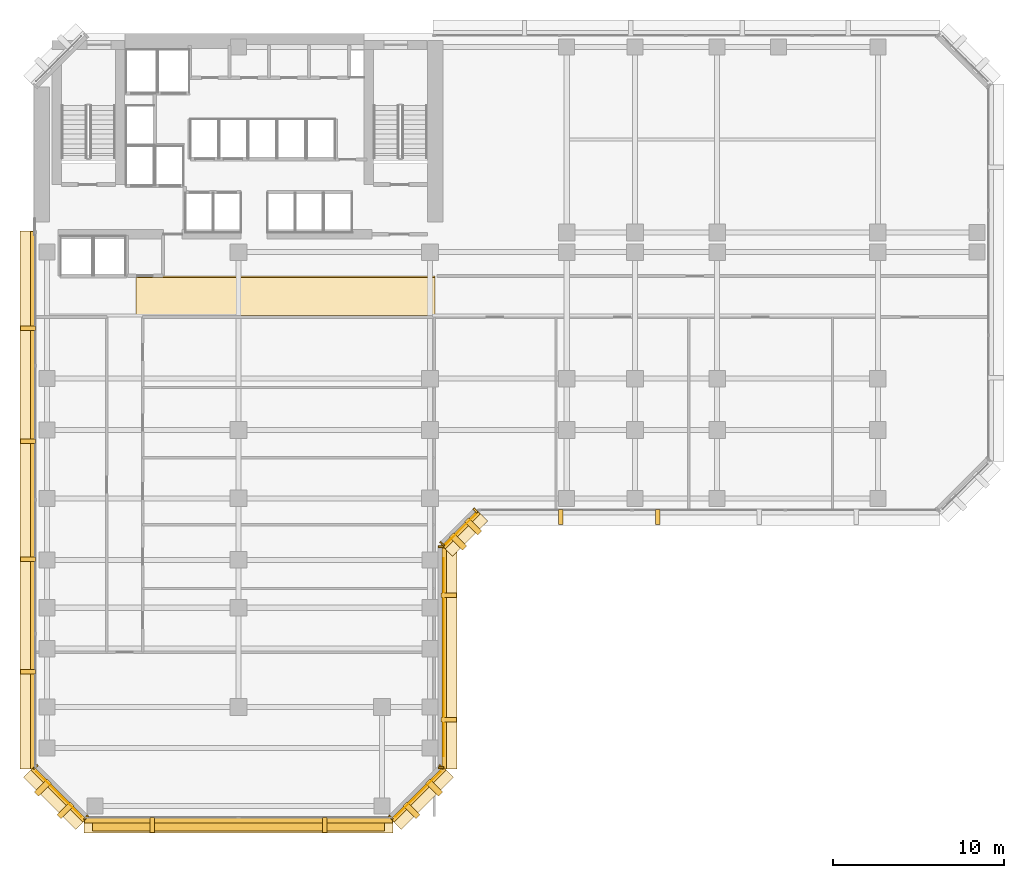
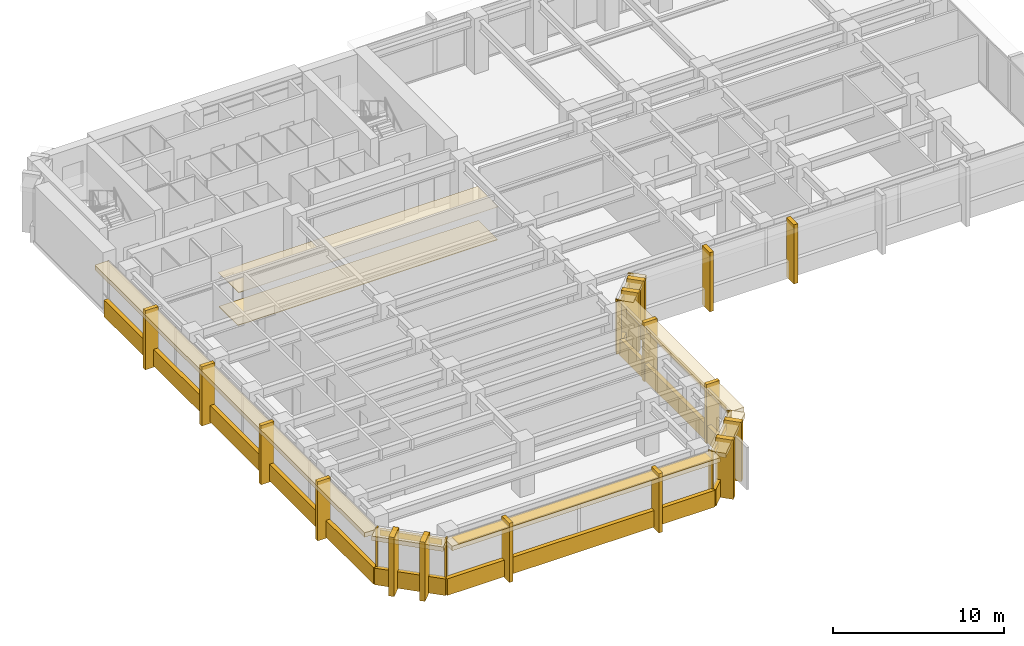
# One storey, part 9 of 13: 42 coverings, 1 shading device.
"""IFC4 building model written with IfcOpenShell, lengths in metres."""

from ifc_helpers import new_model, si_unit, direction, frame, origin, origin_2d, place, context, subcontext, project, spatial, polyline, rectangle, outline, extrude, material, layer, layer_set, type_object, element, save


model = new_model("IFC4")

# Units and contexts
model_context = context("Model", 3, precision=1e-05, world=origin(), true_north=direction((0.0, 1.0)))
body_context = subcontext(model_context, "Body", "Model", "MODEL_VIEW")
ifc_project = project(units=[si_unit("LENGTHUNIT", "METRE"), si_unit("AREAUNIT", "SQUARE_METRE"), si_unit("VOLUMEUNIT", "CUBIC_METRE"), si_unit("PLANEANGLEUNIT", "RADIAN"), si_unit("MASSUNIT", "GRAM", prefix="KILO")], contexts=[model_context])

# Site, building, storey
site_placement = place(None, origin())
site = spatial("IfcSite", under=ifc_project, at=site_placement, CompositionType="ELEMENT")
building_placement = place(site_placement, origin())
building = spatial("IfcBuilding", under=site, at=building_placement, Name="Kefirva Bronze Tower", CompositionType="ELEMENT")
storey_placement = place(building_placement, frame((0.0, 0.0, 81.840087890625)))
storey = spatial("IfcBuildingStorey", under=building, at=storey_placement, Name="L19", CompositionType="ELEMENT", Elevation=81.840087890625)

# Coverings
ifc_material_1 = material(Name="Acoustic mineral tile")
ifc_layer_1 = layer(ifc_material_1, 0.02490234375, Name="Acoustic mineral tile")
ifc_layer_set_1 = layer_set([ifc_layer_1], Name="Acoustic mineral tile")
covering_type_1 = type_object("IfcCoveringType", Name="Acoustic Mineral Suspended Ceiling 25mm", PredefinedType="CEILING", material=ifc_layer_set_1)
covering_1_placement = place(storey_placement, frame((0.0, 0.0, 2.39990234375)))
element("IfcCovering", 1, at=covering_1_placement, inside=storey, type_object=covering_type_1, Name="L19 Corridor Acoustic Ceiling", PredefinedType="CEILING", context=body_context, shape_type="SweptSolid", body=[
    extrude(outline(polyline([(6.0, 29.39990234375), (23.5, 29.39990234375), (23.5, 31.800048828125), (6.0, 31.800048828125), (6.0, 29.39990234375)])), origin(), (0.0, 0.0, 1.0), 0.02490234375),
])
ifc_material_2 = material(Name="Bronze anodised aluminium", Category="aluminium")
ifc_layer_2 = layer(ifc_material_2, 0.02001953125, Name="Bronze anodised aluminium")
ifc_layer_set_2 = layer_set([ifc_layer_2], Name="Bronze anodised aluminium")
covering_type_2 = type_object("IfcCoveringType", Name="Anodised Bronze Spandrel Cladding 20mm", PredefinedType="CLADDING", material=ifc_layer_set_2)
covering_2_placement = place(storey_placement, frame((12.0, -0.0400390625, -0.16015625), z_axis=(0.0, 0.0, 1.0), x_axis=(1.0, 0.0, 0.0)))
element("IfcCovering", 2, at=covering_2_placement, inside=storey, type_object=covering_type_2, Name="L19 Streamline Horizontal Spandrel Band 0", PredefinedType="CLADDING", context=body_context, shape_type="SweptSolid", body=[
    extrude(rectangle(XDim=18.0400390625, YDim=0.280029296875, at=origin_2d()), origin(), (0.0, 0.0, 1.0), 1.179931640625),
])
covering_3_placement = place(storey_placement, frame((22.507080078125, 1.492919921875, 3.2900390625), z_axis=(0.0, 0.0, 1.0), x_axis=(0.707106781187, 0.707106781187, 0.0)))
element("IfcCovering", 3, at=covering_3_placement, inside=storey, type_object=covering_type_2, Name="L19 Bronze Spandrel Cladding 1", PredefinedType="CLADDING", context=body_context, shape_type="SweptSolid", body=[
    extrude(rectangle(XDim=3.719482421875, YDim=0.02001953125, at=origin_2d()), origin(), (0.0, 0.0, 1.0), 0.39990234375),
])
for number, where, z_axis, x_axis, name in (
    (4, (20.91162109375, 0.137939453125, 0.0), (0.0, 0.0, 1.0), (0.707106781187, 0.707106781187, 0.0), "L19 Facade Joint Closure Panel 1S"),
    (5, (23.862060546875, 3.08837890625, 0.0), (0.0, 0.0, 1.0), (0.707106781187, 0.707106781187, 0.0), "L19 Facade Joint Closure Panel 1E"),
):
    element("IfcCovering", number, at=place(storey_placement, frame(where, z_axis=z_axis, x_axis=x_axis)), inside=storey, type_object=covering_type_2, Name=name, PredefinedType="CLADDING", context=body_context, shape_type="SweptSolid", body=[
        extrude(rectangle(XDim=0.10009765625, YDim=0.320068359375, at=origin_2d()), origin(), (0.0, 0.0, 1.0), 3.7099609375),
    ])
covering_4_placement = place(storey_placement, frame((22.5283203125, 1.4716796875, -0.16015625), z_axis=(0.0, 0.0, 1.0), x_axis=(0.707106781187, 0.707106781187, 0.0)))
element("IfcCovering", 6, at=covering_4_placement, inside=storey, type_object=covering_type_2, Name="L19 Streamline Horizontal Spandrel Band 1", PredefinedType="CLADDING", context=body_context, shape_type="SweptSolid", body=[
    extrude(rectangle(XDim=4.28271484375, YDim=0.280029296875, at=origin_2d()), origin(), (0.0, 0.0, 1.0), 1.179931640625),
])
covering_5_placement = place(storey_placement, frame((24.010009765625, 9.5, 3.2900390625), z_axis=(0.0, 0.0, 1.0), x_axis=(0.0, 1.0, 0.0)))
element("IfcCovering", 7, at=covering_5_placement, inside=storey, type_object=covering_type_2, Name="L19 Bronze Spandrel Cladding 2", PredefinedType="CLADDING", context=body_context, shape_type="SweptSolid", body=[
    extrude(rectangle(XDim=11.60107421875, YDim=0.02001953125, at=origin_2d()), origin(), (0.0, 0.0, 1.0), 0.39990234375),
])
for number, where, z_axis, x_axis, name in (
    (8, (23.840087890625, 3.034912109375, 0.0), (0.0, 0.0, 1.0), (0.0, 1.0, 0.0), "L19 Facade Joint Closure Panel 2S"),
    (9, (23.840087890625, 15.965087890625, 0.0), (0.0, 0.0, 1.0), (0.0, 1.0, 0.0), "L19 Facade Joint Closure Panel 2E"),
):
    element("IfcCovering", number, at=place(storey_placement, frame(where, z_axis=z_axis, x_axis=x_axis)), inside=storey, type_object=covering_type_2, Name=name, PredefinedType="CLADDING", context=body_context, shape_type="SweptSolid", body=[
        extrude(rectangle(XDim=0.10009765625, YDim=0.320068359375, at=origin_2d()), origin(), (0.0, 0.0, 1.0), 3.7099609375),
    ])
covering_6_placement = place(storey_placement, frame((24.0400390625, 9.5, -0.16015625), z_axis=(0.0, 0.0, 1.0), x_axis=(0.0, 1.0, 0.0)))
element("IfcCovering", 10, at=covering_6_placement, inside=storey, type_object=covering_type_2, Name="L19 Streamline Horizontal Spandrel Band 2", PredefinedType="CLADDING", context=body_context, shape_type="SweptSolid", body=[
    extrude(rectangle(XDim=13.0400390625, YDim=0.280029296875, at=origin_2d()), origin(), (0.0, 0.0, 1.0), 1.179931640625),
])
covering_7_placement = place(storey_placement, frame((25.007080078125, 16.992919921875, 3.2900390625), z_axis=(0.0, 0.0, 1.0), x_axis=(0.707106781187, 0.707106781187, 0.0)))
element("IfcCovering", 11, at=covering_7_placement, inside=storey, type_object=covering_type_2, Name="L19 Bronze Spandrel Cladding 3", PredefinedType="CLADDING", context=body_context, shape_type="SweptSolid", body=[
    extrude(rectangle(XDim=2.446533203125, YDim=0.02001953125, at=origin_2d()), origin(), (0.0, 0.0, 1.0), 0.39990234375),
])
for number, where, z_axis, x_axis, name in (
    (12, (23.91162109375, 16.137939453125, 0.0), (0.0, 0.0, 1.0), (0.707106781187, 0.707106781187, 0.0), "L19 Facade Joint Closure Panel 3S"),
    (13, (25.862060546875, 18.08837890625, 0.0), (0.0, 0.0, 1.0), (0.707106781187, 0.707106781187, 0.0), "L19 Facade Joint Closure Panel 3E"),
):
    element("IfcCovering", number, at=place(storey_placement, frame(where, z_axis=z_axis, x_axis=x_axis)), inside=storey, type_object=covering_type_2, Name=name, PredefinedType="CLADDING", context=body_context, shape_type="SweptSolid", body=[
        extrude(rectangle(XDim=0.10009765625, YDim=0.320068359375, at=origin_2d()), origin(), (0.0, 0.0, 1.0), 3.7099609375),
    ])
covering_8_placement = place(storey_placement, frame((25.0283203125, 16.9716796875, -0.16015625), z_axis=(0.0, 0.0, 1.0), x_axis=(0.707106781187, 0.707106781187, 0.0)))
element("IfcCovering", 14, at=covering_8_placement, inside=storey, type_object=covering_type_2, Name="L19 Streamline Horizontal Spandrel Band 3", PredefinedType="CLADDING", context=body_context, shape_type="SweptSolid", body=[
    extrude(rectangle(XDim=2.868408203125, YDim=0.280029296875, at=origin_2d()), origin(), (0.0, 0.0, 1.0), 1.179931640625),
])
covering_9_placement = place(storey_placement, frame((-0.0400390625, 18.697509765625, -0.16015625), z_axis=(0.0, 0.0, 1.0), x_axis=(0.0, -1.0, 0.0)))
element("IfcCovering", 15, at=covering_9_placement, inside=storey, type_object=covering_type_2, Name="L19 Streamline Horizontal Spandrel Band 10", PredefinedType="CLADDING", context=body_context, shape_type="SweptSolid", body=[
    extrude(rectangle(XDim=31.43505859375, YDim=0.280029296875, at=origin_2d()), origin(), (0.0, 0.0, 1.0), 1.179931640625),
])
covering_10_placement = place(storey_placement, frame((1.492919921875, 1.492919921875, 3.2900390625), z_axis=(0.0, 0.0, 1.0), x_axis=(0.707106781187, -0.707106781187, 0.0)))
element("IfcCovering", 16, at=covering_10_placement, inside=storey, type_object=covering_type_2, Name="L19 Bronze Spandrel Cladding 7", PredefinedType="CLADDING", context=body_context, shape_type="SweptSolid", body=[
    extrude(rectangle(XDim=3.719482421875, YDim=0.02001953125, at=origin_2d()), origin(), (0.0, 0.0, 1.0), 0.39990234375),
])
for number, where, z_axis, x_axis, name in (
    (17, (0.137939453125, 3.08837890625, 0.0), (0.0, 0.0, 1.0), (0.707106781187, -0.707106781187, 0.0), "L19 Facade Joint Closure Panel 7S"),
    (18, (3.08837890625, 0.137939453125, 0.0), (0.0, 0.0, 1.0), (0.707106781187, -0.707106781187, 0.0), "L19 Facade Joint Closure Panel 7E"),
):
    element("IfcCovering", number, at=place(storey_placement, frame(where, z_axis=z_axis, x_axis=x_axis)), inside=storey, type_object=covering_type_2, Name=name, PredefinedType="CLADDING", context=body_context, shape_type="SweptSolid", body=[
        extrude(rectangle(XDim=0.10009765625, YDim=0.320068359375, at=origin_2d()), origin(), (0.0, 0.0, 1.0), 3.7099609375),
    ])
covering_11_placement = place(storey_placement, frame((1.4716796875, 1.4716796875, -0.16015625), z_axis=(0.0, 0.0, 1.0), x_axis=(0.707106781187, -0.707106781187, 0.0)))
element("IfcCovering", 19, at=covering_11_placement, inside=storey, type_object=covering_type_2, Name="L19 Streamline Horizontal Spandrel Band 11", PredefinedType="CLADDING", context=body_context, shape_type="SweptSolid", body=[
    extrude(rectangle(XDim=4.28271484375, YDim=0.280029296875, at=origin_2d()), origin(), (0.0, 0.0, 1.0), 1.179931640625),
])

# Shading device
ifc_layer_3 = layer(ifc_material_2, 0.090087890625, Name="Bronze anodised aluminium")
ifc_layer_set_3 = layer_set([ifc_layer_3], Name="Bronze anodised aluminium")
shading_device_type = type_object("IfcShadingDeviceType", Name="Horizontal Bronze Sunshade Band 750mm", PredefinedType="JALOUSIE", material=ifc_layer_set_3)
shading_device_placement = place(storey_placement, frame((12.0, -0.294921875, 3.60498046875), z_axis=(0.0, 0.0, 1.0), x_axis=(1.0, 0.0, 0.0)))
element("IfcShadingDevice", 20, at=shading_device_placement, inside=storey, type_object=shading_device_type, Name="L19 Horizontal Bronze Sunshade Band 0", PredefinedType="JALOUSIE", context=body_context, shape_type="SweptSolid", body=[
    extrude(rectangle(XDim=17.090087890625, YDim=0.75, at=origin_2d()), origin(), (0.0, 0.0, 1.0), 0.090087890625),
])

# Coverings
ifc_material_3 = material(Name="Calcium sulphate access tile")
ifc_layer_4 = layer(ifc_material_3, 0.044921875, Name="Calcium sulphate access tile")
ifc_layer_set_4 = layer_set([ifc_layer_4], Name="Calcium sulphate access tile")
covering_type_3 = type_object("IfcCoveringType", Name="Raised Access Office Flooring 45mm", PredefinedType="FLOORING", material=ifc_layer_set_4)
covering_12_placement = place(storey_placement, origin())
element("IfcCovering", 21, at=covering_12_placement, inside=storey, type_object=covering_type_3, Name="L19 Architectural Finish Flooring", PredefinedType="FLOORING", context=body_context, shape_type="SweptSolid", body=[
    extrude(outline(polyline([(6.0, 29.47998046875), (23.5, 29.47998046875), (23.5, 31.719970703125), (6.0, 31.719970703125), (6.0, 29.47998046875)])), origin(), (0.0, 0.0, 1.0), 0.044921875),
])
ifc_layer_5 = layer(ifc_material_2, 0.179931640625, Name="Bronze anodised aluminium")
ifc_layer_set_5 = layer_set([ifc_layer_5], Name="Bronze anodised aluminium")
covering_type_4 = type_object("IfcCoveringType", Name="Streamline Bronze Sunshade Eyebrow Cladding 180mm", PredefinedType="CLADDING", material=ifc_layer_set_5)
covering_13_placement = place(storey_placement, frame((12.0, -0.31005859375, 3.3896484375), z_axis=(0.0, 0.0, 1.0), x_axis=(1.0, 0.0, 0.0)))
element("IfcCovering", 22, at=covering_13_placement, inside=storey, type_object=covering_type_4, Name="L19 Streamline Bronze Sunshade Eyebrow 0", PredefinedType="CLADDING", context=body_context, shape_type="SweptSolid", body=[
    extrude(rectangle(XDim=18.080078125, YDim=0.93994140625, at=origin_2d()), origin(), (0.0, 0.0, 1.0), 0.320068359375),
])
covering_14_placement = place(storey_placement, frame((22.71923828125, 1.28076171875, 3.3896484375), z_axis=(0.0, 0.0, 1.0), x_axis=(0.707106781187, 0.707106781187, 0.0)))
element("IfcCovering", 23, at=covering_14_placement, inside=storey, type_object=covering_type_4, Name="L19 Streamline Bronze Sunshade Eyebrow 1", PredefinedType="CLADDING", context=body_context, shape_type="SweptSolid", body=[
    extrude(rectangle(XDim=4.322509765625, YDim=0.93994140625, at=origin_2d()), origin(), (0.0, 0.0, 1.0), 0.320068359375),
])
covering_15_placement = place(storey_placement, frame((24.31005859375, 9.5, 3.3896484375), z_axis=(0.0, 0.0, 1.0), x_axis=(0.0, 1.0, 0.0)))
element("IfcCovering", 24, at=covering_15_placement, inside=storey, type_object=covering_type_4, Name="L19 Streamline Bronze Sunshade Eyebrow 2", PredefinedType="CLADDING", context=body_context, shape_type="SweptSolid", body=[
    extrude(rectangle(XDim=13.080078125, YDim=0.93994140625, at=origin_2d()), origin(), (0.0, 0.0, 1.0), 0.320068359375),
])
covering_16_placement = place(storey_placement, frame((25.21923828125, 16.78076171875, 3.3896484375), z_axis=(0.0, 0.0, 1.0), x_axis=(0.707106781187, 0.707106781187, 0.0)))
element("IfcCovering", 25, at=covering_16_placement, inside=storey, type_object=covering_type_4, Name="L19 Streamline Bronze Sunshade Eyebrow 3", PredefinedType="CLADDING", context=body_context, shape_type="SweptSolid", body=[
    extrude(rectangle(XDim=2.908447265625, YDim=0.93994140625, at=origin_2d()), origin(), (0.0, 0.0, 1.0), 0.320068359375),
])
covering_17_placement = place(storey_placement, frame((-0.31005859375, 18.697509765625, 3.3896484375), z_axis=(0.0, 0.0, 1.0), x_axis=(0.0, -1.0, 0.0)))
element("IfcCovering", 26, at=covering_17_placement, inside=storey, type_object=covering_type_4, Name="L19 Streamline Bronze Sunshade Eyebrow 10", PredefinedType="CLADDING", context=body_context, shape_type="SweptSolid", body=[
    extrude(rectangle(XDim=31.47509765625, YDim=0.93994140625, at=origin_2d()), origin(), (0.0, 0.0, 1.0), 0.320068359375),
])
covering_18_placement = place(storey_placement, frame((1.28076171875, 1.28076171875, 3.3896484375), z_axis=(0.0, 0.0, 1.0), x_axis=(0.707106781187, -0.707106781187, 0.0)))
element("IfcCovering", 27, at=covering_18_placement, inside=storey, type_object=covering_type_4, Name="L19 Streamline Bronze Sunshade Eyebrow 11", PredefinedType="CLADDING", context=body_context, shape_type="SweptSolid", body=[
    extrude(rectangle(XDim=4.322509765625, YDim=0.93994140625, at=origin_2d()), origin(), (0.0, 0.0, 1.0), 0.320068359375),
])
ifc_layer_6 = layer(ifc_material_2, 0.260009765625, Name="Bronze anodised aluminium")
ifc_layer_set_6 = layer_set([ifc_layer_6], Name="Bronze anodised aluminium")
covering_type_5 = type_object("IfcCoveringType", Name="Unbroken Bronze Buttress Fin Cladding 260mm", PredefinedType="CLADDING", material=ifc_layer_set_6)
for number, where, z_axis, x_axis, name in (
    (28, (6.9599609375, -0.300048828125, -0.25), (0.0, 0.0, 1.0), (1.0, 0.0, 0.0), "L19 Unbroken Vertical Bronze Rib Fin 1"),
    (29, (17.0400390625, -0.300048828125, -0.25), (0.0, 0.0, 1.0), (1.0, 0.0, 0.0), "L19 Unbroken Vertical Bronze Rib Fin 2"),
):
    element("IfcCovering", number, at=place(storey_placement, frame(where, z_axis=z_axis, x_axis=x_axis)), inside=storey, type_object=covering_type_5, Name=name, PredefinedType="CLADDING", context=body_context, shape_type="SweptSolid", body=[
        extrude(rectangle(XDim=0.260009765625, YDim=0.8798828125, at=origin_2d()), origin(), (0.0, 0.0, 1.0), 4.2099609375),
    ])
for number, where, z_axis, x_axis, name in (
    (30, (22.122802734375, 0.55712890625, -0.25), (0.0, 0.0, 1.0), (0.707106781187, 0.707106781187, 0.0), "L19 Chamfered Corner Buttress Fin Cladding 3"),
    (31, (23.44287109375, 1.877197265625, -0.25), (0.0, 0.0, 1.0), (0.707106781187, 0.707106781187, 0.0), "L19 Chamfered Corner Buttress Fin Cladding 4"),
):
    element("IfcCovering", number, at=place(storey_placement, frame(where, z_axis=z_axis, x_axis=x_axis)), inside=storey, type_object=covering_type_5, Name=name, PredefinedType="CLADDING", context=body_context, shape_type="SweptSolid", body=[
        extrude(rectangle(XDim=0.340087890625, YDim=1.080078125, at=origin_2d()), origin(), (0.0, 0.0, 1.0), 4.2099609375),
    ])
for number, where, z_axis, x_axis, name in (
    (32, (24.300048828125, 5.860107421875, -0.25), (0.0, 0.0, 1.0), (0.0, 1.0, 0.0), "L19 Unbroken Vertical Bronze Rib Fin 5"),
    (33, (24.300048828125, 13.139892578125, -0.25), (0.0, 0.0, 1.0), (0.0, 1.0, 0.0), "L19 Unbroken Vertical Bronze Rib Fin 6"),
):
    element("IfcCovering", number, at=place(storey_placement, frame(where, z_axis=z_axis, x_axis=x_axis)), inside=storey, type_object=covering_type_5, Name=name, PredefinedType="CLADDING", context=body_context, shape_type="SweptSolid", body=[
        extrude(rectangle(XDim=0.260009765625, YDim=0.8798828125, at=origin_2d()), origin(), (0.0, 0.0, 1.0), 4.2099609375),
    ])
for number, where, z_axis, x_axis, name in (
    (34, (24.8427734375, 16.277099609375, -0.25), (0.0, 0.0, 1.0), (0.707106781187, 0.707106781187, 0.0), "L19 Chamfered Corner Buttress Fin Cladding 7"),
    (35, (25.722900390625, 17.1572265625, -0.25), (0.0, 0.0, 1.0), (0.707106781187, 0.707106781187, 0.0), "L19 Chamfered Corner Buttress Fin Cladding 8"),
):
    element("IfcCovering", number, at=place(storey_placement, frame(where, z_axis=z_axis, x_axis=x_axis)), inside=storey, type_object=covering_type_5, Name=name, PredefinedType="CLADDING", context=body_context, shape_type="SweptSolid", body=[
        extrude(rectangle(XDim=0.340087890625, YDim=1.080078125, at=origin_2d()), origin(), (0.0, 0.0, 1.0), 4.2099609375),
    ])
for number, where, z_axis, x_axis, name in (
    (36, (30.860107421875, 17.699951171875, -0.25), (0.0, 0.0, 1.0), (1.0, 0.0, 0.0), "L19 Unbroken Vertical Bronze Rib Fin 9"),
    (37, (36.530029296875, 17.699951171875, -0.25), (0.0, 0.0, 1.0), (1.0, 0.0, 0.0), "L19 Unbroken Vertical Bronze Rib Fin 10"),
    (38, (-0.300048828125, 28.743896484375, -0.25), (0.0, 0.0, 1.0), (0.0, -1.0, 0.0), "L19 Unbroken Vertical Bronze Rib Fin 25"),
    (39, (-0.300048828125, 22.15087890625, -0.25), (0.0, 0.0, 1.0), (0.0, -1.0, 0.0), "L19 Unbroken Vertical Bronze Rib Fin 26"),
    (40, (-0.300048828125, 15.244140625, -0.25), (0.0, 0.0, 1.0), (0.0, -1.0, 0.0), "L19 Unbroken Vertical Bronze Rib Fin 27"),
    (41, (-0.300048828125, 8.651123046875, -0.25), (0.0, 0.0, 1.0), (0.0, -1.0, 0.0), "L19 Unbroken Vertical Bronze Rib Fin 28"),
):
    element("IfcCovering", number, at=place(storey_placement, frame(where, z_axis=z_axis, x_axis=x_axis)), inside=storey, type_object=covering_type_5, Name=name, PredefinedType="CLADDING", context=body_context, shape_type="SweptSolid", body=[
        extrude(rectangle(XDim=0.260009765625, YDim=0.8798828125, at=origin_2d()), origin(), (0.0, 0.0, 1.0), 4.2099609375),
    ])
for number, where, z_axis, x_axis, name in (
    (42, (0.55712890625, 1.877197265625, -0.25), (0.0, 0.0, 1.0), (0.707106781187, -0.707106781187, 0.0), "L19 Chamfered Corner Buttress Fin Cladding 29"),
    (43, (1.877197265625, 0.55712890625, -0.25), (0.0, 0.0, 1.0), (0.707106781187, -0.707106781187, 0.0), "L19 Chamfered Corner Buttress Fin Cladding 30"),
):
    element("IfcCovering", number, at=place(storey_placement, frame(where, z_axis=z_axis, x_axis=x_axis)), inside=storey, type_object=covering_type_5, Name=name, PredefinedType="CLADDING", context=body_context, shape_type="SweptSolid", body=[
        extrude(rectangle(XDim=0.340087890625, YDim=1.080078125, at=origin_2d()), origin(), (0.0, 0.0, 1.0), 4.2099609375),
    ])

save(model, "model.ifc")
